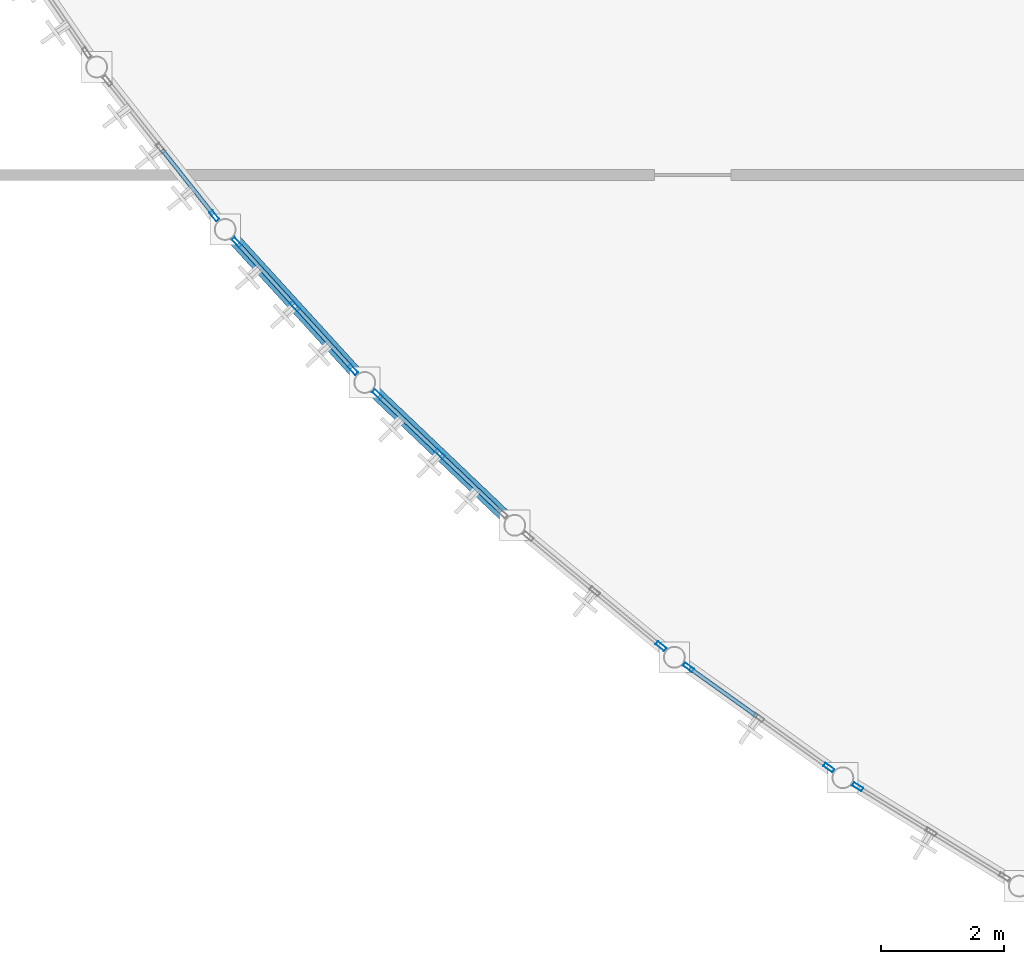
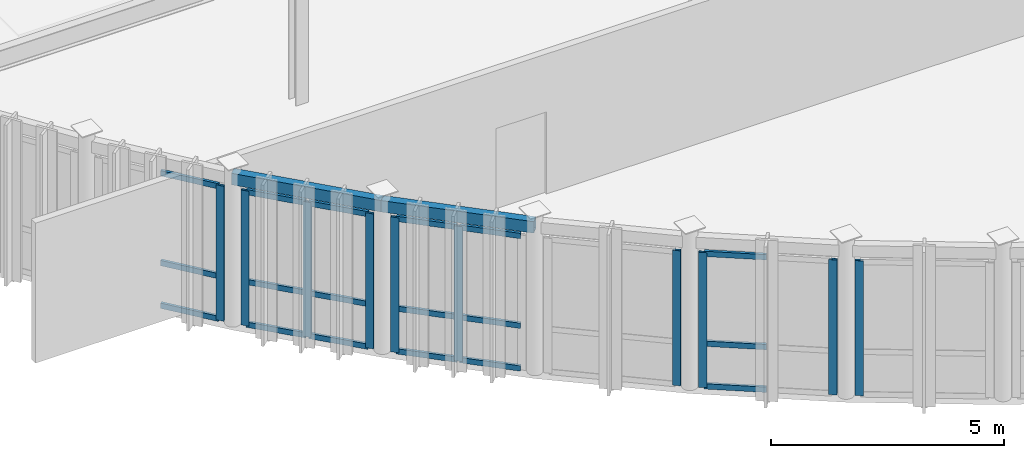
# One storey, part 5 of 26: 28 members, 2 beams, 6 elements without a shape of their own.
"""IFC4 building model written with IfcOpenShell, lengths in metres."""

from ifc_helpers import new_model, si_unit, direction, frame, origin, origin_2d, place, context, subcontext, project, spatial, hollow_rectangle, extrude, material, layer, layer_set, material_profile, profile_set, type_object, element, aggregate, save


model = new_model("IFC4")

# Units and contexts
model_context = context("Model", 3, precision=1e-05, world=origin(), true_north=direction((0.0, 1.0)))
body_context = subcontext(model_context, "Body", "Model", "MODEL_VIEW")
ifc_project = project(units=[si_unit("LENGTHUNIT", "METRE"), si_unit("AREAUNIT", "SQUARE_METRE"), si_unit("VOLUMEUNIT", "CUBIC_METRE"), si_unit("PLANEANGLEUNIT", "RADIAN"), si_unit("MASSUNIT", "GRAM", prefix="KILO")], contexts=[model_context])

# Site, building, storey
site_placement = place(None, origin())
site = spatial("IfcSite", under=ifc_project, at=site_placement, CompositionType="ELEMENT")
building_placement = place(site_placement, origin())
building = spatial("IfcBuilding", under=site, at=building_placement, Name="Selat Folded Stagehouse", CompositionType="ELEMENT")
storey_placement = place(building_placement, frame((0.0, 0.0, 23.39990234375)))
storey = spatial("IfcBuildingStorey", under=building, at=storey_placement, Name="L05", CompositionType="ELEMENT", Elevation=23.39990234375)

# Curtain wall, member
ifc_material_1 = material(Name="Aluminium 6063-T6", Category="aluminium")
ifc_layer = layer(ifc_material_1, 0.18505859375)
ifc_layer_set = layer_set([ifc_layer], Name="Aluminium 6063-T6")
curtain_wall_type = type_object("IfcCurtainWallType", Name="CW-DRM-UPPER", PredefinedType="NOTDEFINED", material=ifc_layer_set)
curtain_wall_1_placement = place(storey_placement, origin())
curtain_wall_1 = element("IfcCurtainWall", 1, at=curtain_wall_1_placement, inside=storey, type_object=curtain_wall_type, Name="L05 curtain wall CW-DRM-L05-11", PredefinedType="NOTDEFINED")
ifc_material_profile_1 = material_profile(ifc_material_1, hollow_rectangle(XDim=0.06494140625, YDim=0.179931640625, WallThickness=0.00390625, at=origin_2d()), Name="ALU 180x65x4.0")
ifc_profile_set_1 = profile_set([ifc_material_profile_1], Name="Aluminium 6063-T6")
member_type_1 = type_object("IfcMemberType", Name="CWM-MUL-180x65", PredefinedType="MULLION", material=ifc_profile_set_1)
member_1_placement = place(storey_placement, frame((11.25146484375, 17.134765625, 0.0), z_axis=(0.0, 0.0, 1.0), x_axis=(-0.784180094825, -0.620533301992, 0.0)))
member_1 = element("IfcMember", 2, at=member_1_placement, type_object=member_type_1, Name="CW-03 mullion 1", PredefinedType="MULLION", context=body_context, shape_type="SweptSolid", body=[
    extrude(hollow_rectangle(XDim=0.06494140625, YDim=0.179931640625, WallThickness=0.00390625, at=origin_2d()), origin(), (0.0, 0.0, 1.0), 3.53515625),
])

# Curtain wall, members
curtain_wall_2_placement = place(storey_placement, origin())
curtain_wall_2 = element("IfcCurtainWall", 3, at=curtain_wall_2_placement, inside=storey, type_object=curtain_wall_type, Name="L05 curtain wall CW-DRM-L05-12", PredefinedType="NOTDEFINED")
member_2_placement = place(storey_placement, frame((13.507080078125, 14.633056640625, 0.0), z_axis=(0.0, 0.0, 1.0), x_axis=(-0.738729183213, -0.674002369336, 0.0)))
member_2 = element("IfcMember", 4, at=member_2_placement, type_object=member_type_1, Name="CW-03 mullion 1", PredefinedType="MULLION", context=body_context, shape_type="SweptSolid", body=[
    extrude(hollow_rectangle(XDim=0.06494140625, YDim=0.179931640625, WallThickness=0.00390625, at=origin_2d()), origin(), (0.0, 0.0, 1.0), 3.53515625),
])
member_3_placement = place(storey_placement, frame((12.56201171875, 15.668701171875, 0.0), z_axis=(0.0, 0.0, 1.0), x_axis=(-0.738729183213, -0.674002369336, 0.0)))
member_3 = element("IfcMember", 5, at=member_3_placement, type_object=member_type_1, Name="CW-03 mullion 2", PredefinedType="MULLION", context=body_context, shape_type="SweptSolid", body=[
    extrude(hollow_rectangle(XDim=0.06494140625, YDim=0.179931640625, WallThickness=0.00390625, at=origin_2d()), origin(), (0.0, 0.0, 1.0), 3.53515625),
])
member_4_placement = place(storey_placement, frame((11.6171875, 16.704345703125, 0.0), z_axis=(0.0, 0.0, 1.0), x_axis=(-0.738729183213, -0.674002369336, 0.0)))
member_4 = element("IfcMember", 6, at=member_4_placement, type_object=member_type_1, Name="CW-03 mullion 3", PredefinedType="MULLION", context=body_context, shape_type="SweptSolid", body=[
    extrude(hollow_rectangle(XDim=0.06494140625, YDim=0.179931640625, WallThickness=0.00390625, at=origin_2d()), origin(), (0.0, 0.0, 1.0), 3.53515625),
])

curtain_wall_3_placement = place(storey_placement, origin())
curtain_wall_3 = element("IfcCurtainWall", 7, at=curtain_wall_3_placement, inside=storey, type_object=curtain_wall_type, Name="L05 curtain wall CW-DRM-L05-13", PredefinedType="NOTDEFINED")
member_5_placement = place(storey_placement, frame((14.917236328125, 13.262451171875, 0.0), z_axis=(0.0, 0.0, 1.0), x_axis=(-0.689661264636, -0.724132128869, 0.0)))
member_5 = element("IfcMember", 8, at=member_5_placement, type_object=member_type_1, Name="CW-03 mullion 2", PredefinedType="MULLION", context=body_context, shape_type="SweptSolid", body=[
    extrude(hollow_rectangle(XDim=0.06494140625, YDim=0.179931640625, WallThickness=0.00390625, at=origin_2d()), origin(), (0.0, 0.0, 1.0), 3.53515625),
])
member_6_placement = place(storey_placement, frame((13.90185546875, 14.2294921875, 0.0), z_axis=(0.0, 0.0, 1.0), x_axis=(-0.689661264636, -0.724132128869, 0.0)))
member_6 = element("IfcMember", 9, at=member_6_placement, type_object=member_type_1, Name="CW-03 mullion 3", PredefinedType="MULLION", context=body_context, shape_type="SweptSolid", body=[
    extrude(hollow_rectangle(XDim=0.06494140625, YDim=0.179931640625, WallThickness=0.00390625, at=origin_2d()), origin(), (0.0, 0.0, 1.0), 3.53515625),
])

# Curtain wall, member
curtain_wall_4_placement = place(storey_placement, origin())
curtain_wall_4 = element("IfcCurtainWall", 10, at=curtain_wall_4_placement, inside=storey, type_object=curtain_wall_type, Name="L05 curtain wall CW-DRM-L05-14", PredefinedType="NOTDEFINED")
member_7_placement = place(storey_placement, frame((18.515869140625, 10.13427734375, 0.0), z_axis=(0.0, 0.0, 1.0), x_axis=(-0.637141737734, -0.770746654899, 0.0)))
member_7 = element("IfcMember", 11, at=member_7_placement, type_object=member_type_1, Name="CW-03 mullion 1", PredefinedType="MULLION", context=body_context, shape_type="SweptSolid", body=[
    extrude(hollow_rectangle(XDim=0.06494140625, YDim=0.179931640625, WallThickness=0.00390625, at=origin_2d()), origin(), (0.0, 0.0, 1.0), 3.53515625),
])
aggregate(curtain_wall_4, [member_7])

# Curtain wall, members
curtain_wall_5_placement = place(storey_placement, origin())
curtain_wall_5 = element("IfcCurtainWall", 12, at=curtain_wall_5_placement, inside=storey, type_object=curtain_wall_type, Name="L05 curtain wall CW-DRM-L05-15", PredefinedType="NOTDEFINED")
member_8_placement = place(storey_placement, frame((21.24462890625, 8.159423828125, 0.0), z_axis=(0.0, 0.0, 1.0), x_axis=(-0.581528304836, -0.813526170861, 0.0)))
member_8 = element("IfcMember", 13, at=member_8_placement, type_object=member_type_1, Name="CW-03 mullion 1", PredefinedType="MULLION", context=body_context, shape_type="SweptSolid", body=[
    extrude(hollow_rectangle(XDim=0.06494140625, YDim=0.179931640625, WallThickness=0.00390625, at=origin_2d()), origin(), (0.0, 0.0, 1.0), 3.53515625),
])
member_9_placement = place(storey_placement, frame((18.96337890625, 9.7900390625, 0.0), z_axis=(0.0, 0.0, 1.0), x_axis=(-0.581528304836, -0.813526170861, 0.0)))
member_9 = element("IfcMember", 14, at=member_9_placement, type_object=member_type_1, Name="CW-03 mullion 3", PredefinedType="MULLION", context=body_context, shape_type="SweptSolid", body=[
    extrude(hollow_rectangle(XDim=0.06494140625, YDim=0.179931640625, WallThickness=0.00390625, at=origin_2d()), origin(), (0.0, 0.0, 1.0), 3.53515625),
])

# Curtain wall, member
curtain_wall_6_placement = place(storey_placement, origin())
curtain_wall_6 = element("IfcCurtainWall", 15, at=curtain_wall_6_placement, inside=storey, type_object=curtain_wall_type, Name="L05 curtain wall CW-DRM-L05-16", PredefinedType="NOTDEFINED")
member_10_placement = place(storey_placement, frame((21.715087890625, 7.847412109375, 0.0), z_axis=(0.0, 0.0, 1.0), x_axis=(-0.523025427755, -0.852317078277, 0.0)))
member_10 = element("IfcMember", 16, at=member_10_placement, type_object=member_type_1, Name="CW-03 mullion 3", PredefinedType="MULLION", context=body_context, shape_type="SweptSolid", body=[
    extrude(hollow_rectangle(XDim=0.06494140625, YDim=0.179931640625, WallThickness=0.00390625, at=origin_2d()), origin(), (0.0, 0.0, 1.0), 3.53515625),
])
aggregate(curtain_wall_6, [member_10])

# Member
ifc_material_profile_2 = material_profile(ifc_material_1, hollow_rectangle(XDim=0.06494140625, YDim=0.139892578125, WallThickness=0.00390625, at=origin_2d()), Name="ALU 140x65x4.0")
ifc_profile_set_2 = profile_set([ifc_material_profile_2], Name="Aluminium 6063-T6")
member_type_2 = type_object("IfcMemberType", Name="CWM-TRN-140x65", PredefinedType="USERDEFINED", material=ifc_profile_set_2)
member_11_placement = place(storey_placement, frame((11.231201171875, 17.16015625, 0.03271484375), z_axis=(-0.620543894038, 0.784171713066, 0.0), x_axis=(-0.784171713066, -0.620543894038, 0.0)))
member_11 = element("IfcMember", 17, at=member_11_placement, type_object=member_type_2, Name="CW-03 transom 1.1", ObjectType="TRANSOM", PredefinedType="USERDEFINED", context=body_context, shape_type="SweptSolid", body=[
    extrude(hollow_rectangle(XDim=0.06494140625, YDim=0.139892578125, WallThickness=0.00390625, at=origin_2d()), origin(), (0.0, 0.0, 1.0), 1.3369140625),
])

member_12_placement = place(storey_placement, frame((11.231201171875, 17.16015625, 1.150146484375), z_axis=(-0.620543894038, 0.784171713066, 0.0), x_axis=(-0.784171713066, -0.620543894038, 0.0)))
member_12 = element("IfcMember", 18, at=member_12_placement, type_object=member_type_2, Name="CW-03 transom 1.2", ObjectType="TRANSOM", PredefinedType="USERDEFINED", context=body_context, shape_type="SweptSolid", body=[
    extrude(hollow_rectangle(XDim=0.06494140625, YDim=0.139892578125, WallThickness=0.00390625, at=origin_2d()), origin(), (0.0, 0.0, 1.0), 1.3369140625),
])

member_13_placement = place(storey_placement, frame((11.231201171875, 17.16015625, 3.502685546875), z_axis=(-0.620543894038, 0.784171713066, 0.0), x_axis=(-0.784171713066, -0.620543894038, 0.0)))
member_13 = element("IfcMember", 19, at=member_13_placement, type_object=member_type_2, Name="CW-03 transom 1.3", ObjectType="TRANSOM", PredefinedType="USERDEFINED", context=body_context, shape_type="SweptSolid", body=[
    extrude(hollow_rectangle(XDim=0.06494140625, YDim=0.139892578125, WallThickness=0.00390625, at=origin_2d()), origin(), (0.0, 0.0, 1.0), 1.3369140625),
])

aggregate(curtain_wall_1, [member_1, member_11, member_12, member_13])

member_14_placement = place(storey_placement, frame((13.485107421875, 14.656982421875, 0.03271484375), z_axis=(-0.673953245799, 0.738773999594, 0.0), x_axis=(-0.738773999594, -0.673953245799, 0.0)))
member_14 = element("IfcMember", 20, at=member_14_placement, type_object=member_type_2, Name="CW-03 transom 1.1", ObjectType="TRANSOM", PredefinedType="USERDEFINED", context=body_context, shape_type="SweptSolid", body=[
    extrude(hollow_rectangle(XDim=0.06494140625, YDim=0.139892578125, WallThickness=0.00390625, at=origin_2d()), origin(), (0.0, 0.0, 1.0), 1.337158203125),
])

member_15_placement = place(storey_placement, frame((13.485107421875, 14.656982421875, 1.150146484375), z_axis=(-0.673953245799, 0.738773999594, 0.0), x_axis=(-0.738773999594, -0.673953245799, 0.0)))
member_15 = element("IfcMember", 21, at=member_15_placement, type_object=member_type_2, Name="CW-03 transom 1.2", ObjectType="TRANSOM", PredefinedType="USERDEFINED", context=body_context, shape_type="SweptSolid", body=[
    extrude(hollow_rectangle(XDim=0.06494140625, YDim=0.139892578125, WallThickness=0.00390625, at=origin_2d()), origin(), (0.0, 0.0, 1.0), 1.337158203125),
])

member_16_placement = place(storey_placement, frame((13.485107421875, 14.656982421875, 3.502685546875), z_axis=(-0.673953245799, 0.738773999594, 0.0), x_axis=(-0.738773999594, -0.673953245799, 0.0)))
member_16 = element("IfcMember", 22, at=member_16_placement, type_object=member_type_2, Name="CW-03 transom 1.3", ObjectType="TRANSOM", PredefinedType="USERDEFINED", context=body_context, shape_type="SweptSolid", body=[
    extrude(hollow_rectangle(XDim=0.06494140625, YDim=0.139892578125, WallThickness=0.00390625, at=origin_2d()), origin(), (0.0, 0.0, 1.0), 1.337158203125),
])

member_17_placement = place(storey_placement, frame((12.5400390625, 15.692626953125, 0.03271484375), z_axis=(-0.673953245799, 0.738773999594, 0.0), x_axis=(-0.738773999594, -0.673953245799, 0.0)))
member_17 = element("IfcMember", 23, at=member_17_placement, type_object=member_type_2, Name="CW-03 transom 2.1", ObjectType="TRANSOM", PredefinedType="USERDEFINED", context=body_context, shape_type="SweptSolid", body=[
    extrude(hollow_rectangle(XDim=0.06494140625, YDim=0.139892578125, WallThickness=0.00390625, at=origin_2d()), origin(), (0.0, 0.0, 1.0), 1.337158203125),
])

member_18_placement = place(storey_placement, frame((12.5400390625, 15.692626953125, 1.150146484375), z_axis=(-0.673953245799, 0.738773999594, 0.0), x_axis=(-0.738773999594, -0.673953245799, 0.0)))
member_18 = element("IfcMember", 24, at=member_18_placement, type_object=member_type_2, Name="CW-03 transom 2.2", ObjectType="TRANSOM", PredefinedType="USERDEFINED", context=body_context, shape_type="SweptSolid", body=[
    extrude(hollow_rectangle(XDim=0.06494140625, YDim=0.139892578125, WallThickness=0.00390625, at=origin_2d()), origin(), (0.0, 0.0, 1.0), 1.337158203125),
])

member_19_placement = place(storey_placement, frame((12.5400390625, 15.692626953125, 3.502685546875), z_axis=(-0.673953245799, 0.738773999594, 0.0), x_axis=(-0.738773999594, -0.673953245799, 0.0)))
member_19 = element("IfcMember", 25, at=member_19_placement, type_object=member_type_2, Name="CW-03 transom 2.3", ObjectType="TRANSOM", PredefinedType="USERDEFINED", context=body_context, shape_type="SweptSolid", body=[
    extrude(hollow_rectangle(XDim=0.06494140625, YDim=0.139892578125, WallThickness=0.00390625, at=origin_2d()), origin(), (0.0, 0.0, 1.0), 1.337158203125),
])

aggregate(curtain_wall_2, [member_2, member_3, member_4, member_14, member_15, member_16, member_17, member_18, member_19])

member_20_placement = place(storey_placement, frame((15.908935546875, 12.318115234375, 0.03271484375), z_axis=(-0.724150957523, 0.689641494343, 0.0), x_axis=(-0.689641494343, -0.724150957523, 0.0)))
member_20 = element("IfcMember", 26, at=member_20_placement, type_object=member_type_2, Name="CW-03 transom 1.1", ObjectType="TRANSOM", PredefinedType="USERDEFINED", context=body_context, shape_type="SweptSolid", body=[
    extrude(hollow_rectangle(XDim=0.06494140625, YDim=0.139892578125, WallThickness=0.00390625, at=origin_2d()), origin(), (0.0, 0.0, 1.0), 1.337158203125),
])

member_21_placement = place(storey_placement, frame((15.908935546875, 12.318115234375, 1.150146484375), z_axis=(-0.724150957523, 0.689641494343, 0.0), x_axis=(-0.689641494343, -0.724150957523, 0.0)))
member_21 = element("IfcMember", 27, at=member_21_placement, type_object=member_type_2, Name="CW-03 transom 1.2", ObjectType="TRANSOM", PredefinedType="USERDEFINED", context=body_context, shape_type="SweptSolid", body=[
    extrude(hollow_rectangle(XDim=0.06494140625, YDim=0.139892578125, WallThickness=0.00390625, at=origin_2d()), origin(), (0.0, 0.0, 1.0), 1.337158203125),
])

member_22_placement = place(storey_placement, frame((15.908935546875, 12.318115234375, 3.502685546875), z_axis=(-0.724150957523, 0.689641494343, 0.0), x_axis=(-0.689641494343, -0.724150957523, 0.0)))
member_22 = element("IfcMember", 28, at=member_22_placement, type_object=member_type_2, Name="CW-03 transom 1.3", ObjectType="TRANSOM", PredefinedType="USERDEFINED", context=body_context, shape_type="SweptSolid", body=[
    extrude(hollow_rectangle(XDim=0.06494140625, YDim=0.139892578125, WallThickness=0.00390625, at=origin_2d()), origin(), (0.0, 0.0, 1.0), 1.337158203125),
])

member_23_placement = place(storey_placement, frame((14.8935546875, 13.284912109375, 0.03271484375), z_axis=(-0.724064099626, 0.689732687084, 0.0), x_axis=(-0.689732687084, -0.724064099626, 0.0)))
member_23 = element("IfcMember", 29, at=member_23_placement, type_object=member_type_2, Name="CW-03 transom 2.1", ObjectType="TRANSOM", PredefinedType="USERDEFINED", context=body_context, shape_type="SweptSolid", body=[
    extrude(hollow_rectangle(XDim=0.06494140625, YDim=0.139892578125, WallThickness=0.00390625, at=origin_2d()), origin(), (0.0, 0.0, 1.0), 1.3369140625),
])

member_24_placement = place(storey_placement, frame((14.8935546875, 13.284912109375, 1.150146484375), z_axis=(-0.724064099626, 0.689732687084, 0.0), x_axis=(-0.689732687084, -0.724064099626, 0.0)))
member_24 = element("IfcMember", 30, at=member_24_placement, type_object=member_type_2, Name="CW-03 transom 2.2", ObjectType="TRANSOM", PredefinedType="USERDEFINED", context=body_context, shape_type="SweptSolid", body=[
    extrude(hollow_rectangle(XDim=0.06494140625, YDim=0.139892578125, WallThickness=0.00390625, at=origin_2d()), origin(), (0.0, 0.0, 1.0), 1.3369140625),
])

member_25_placement = place(storey_placement, frame((14.8935546875, 13.284912109375, 3.502685546875), z_axis=(-0.724064099626, 0.689732687084, 0.0), x_axis=(-0.689732687084, -0.724064099626, 0.0)))
member_25 = element("IfcMember", 31, at=member_25_placement, type_object=member_type_2, Name="CW-03 transom 2.3", ObjectType="TRANSOM", PredefinedType="USERDEFINED", context=body_context, shape_type="SweptSolid", body=[
    extrude(hollow_rectangle(XDim=0.06494140625, YDim=0.139892578125, WallThickness=0.00390625, at=origin_2d()), origin(), (0.0, 0.0, 1.0), 1.3369140625),
])

aggregate(curtain_wall_3, [member_5, member_6, member_20, member_21, member_22, member_23, member_24, member_25])

member_26_placement = place(storey_placement, frame((20.07763671875, 8.99365234375, 0.03271484375), z_axis=(-0.813573030575, 0.581462745084, 0.0), x_axis=(-0.581462745084, -0.813573030575, 0.0)))
member_26 = element("IfcMember", 32, at=member_26_placement, type_object=member_type_2, Name="CW-03 transom 2.1", ObjectType="TRANSOM", PredefinedType="USERDEFINED", context=body_context, shape_type="SweptSolid", body=[
    extrude(hollow_rectangle(XDim=0.06494140625, YDim=0.139892578125, WallThickness=0.00390625, at=origin_2d()), origin(), (0.0, 0.0, 1.0), 1.3369140625),
])

member_27_placement = place(storey_placement, frame((20.07763671875, 8.99365234375, 1.150146484375), z_axis=(-0.813573030575, 0.581462745084, 0.0), x_axis=(-0.581462745084, -0.813573030575, 0.0)))
member_27 = element("IfcMember", 33, at=member_27_placement, type_object=member_type_2, Name="CW-03 transom 2.2", ObjectType="TRANSOM", PredefinedType="USERDEFINED", context=body_context, shape_type="SweptSolid", body=[
    extrude(hollow_rectangle(XDim=0.06494140625, YDim=0.139892578125, WallThickness=0.00390625, at=origin_2d()), origin(), (0.0, 0.0, 1.0), 1.3369140625),
])

member_28_placement = place(storey_placement, frame((20.07763671875, 8.99365234375, 3.502685546875), z_axis=(-0.813573030575, 0.581462745084, 0.0), x_axis=(-0.581462745084, -0.813573030575, 0.0)))
member_28 = element("IfcMember", 34, at=member_28_placement, type_object=member_type_2, Name="CW-03 transom 2.3", ObjectType="TRANSOM", PredefinedType="USERDEFINED", context=body_context, shape_type="SweptSolid", body=[
    extrude(hollow_rectangle(XDim=0.06494140625, YDim=0.139892578125, WallThickness=0.00390625, at=origin_2d()), origin(), (0.0, 0.0, 1.0), 1.3369140625),
])

aggregate(curtain_wall_5, [member_8, member_9, member_26, member_27, member_28])

# Beams
ifc_material_2 = material(Name="Steel S355", Category="steel")
ifc_material_profile_3 = material_profile(ifc_material_2, hollow_rectangle(XDim=0.199951171875, YDim=0.300048828125, WallThickness=0.012451171875, at=origin_2d()), Name="RHS 300x200x12.5")
ifc_profile_set_3 = profile_set([ifc_material_profile_3], Name="Steel S355")
beam_type = type_object("IfcBeamType", Name="SPD-RHS-300x200", PredefinedType="SPANDREL", material=ifc_profile_set_3)
beam_1_placement = place(storey_placement, frame((11.4267578125, 16.9130859375, 3.8251953125), z_axis=(0.674009862858, -0.738722346197, 0.0), x_axis=(0.738722346197, 0.674009862858, 0.0)))
element("IfcBeam", 35, at=beam_1_placement, inside=storey, type_object=beam_type, Name="L05 curved drum spandrel beam 13", PredefinedType="SPANDREL", context=body_context, shape_type="SweptSolid", body=[
    extrude(hollow_rectangle(XDim=0.199951171875, YDim=0.300048828125, WallThickness=0.012451171875, at=origin_2d()), origin(), (0.0, 0.0, 1.0), 3.369140625),
])
beam_2_placement = place(storey_placement, frame((13.697509765625, 14.42431640625, 3.8251953125), z_axis=(0.724108632634, -0.689685934426, 0.0), x_axis=(0.689685934426, 0.724108632634, 0.0)))
element("IfcBeam", 36, at=beam_2_placement, inside=storey, type_object=beam_type, Name="L05 curved drum spandrel beam 14", PredefinedType="SPANDREL", context=body_context, shape_type="SweptSolid", body=[
    extrude(hollow_rectangle(XDim=0.199951171875, YDim=0.300048828125, WallThickness=0.012451171875, at=origin_2d()), origin(), (0.0, 0.0, 1.0), 3.368896484375),
])

save(model, "model.ifc")
